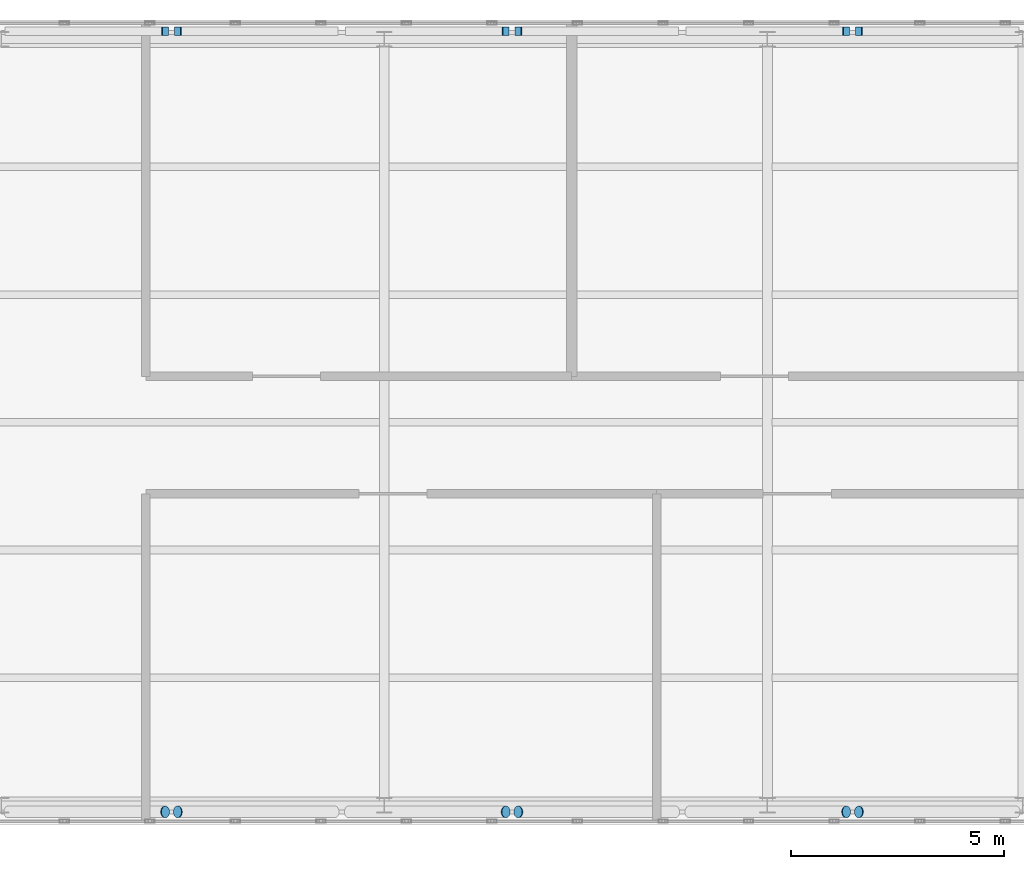
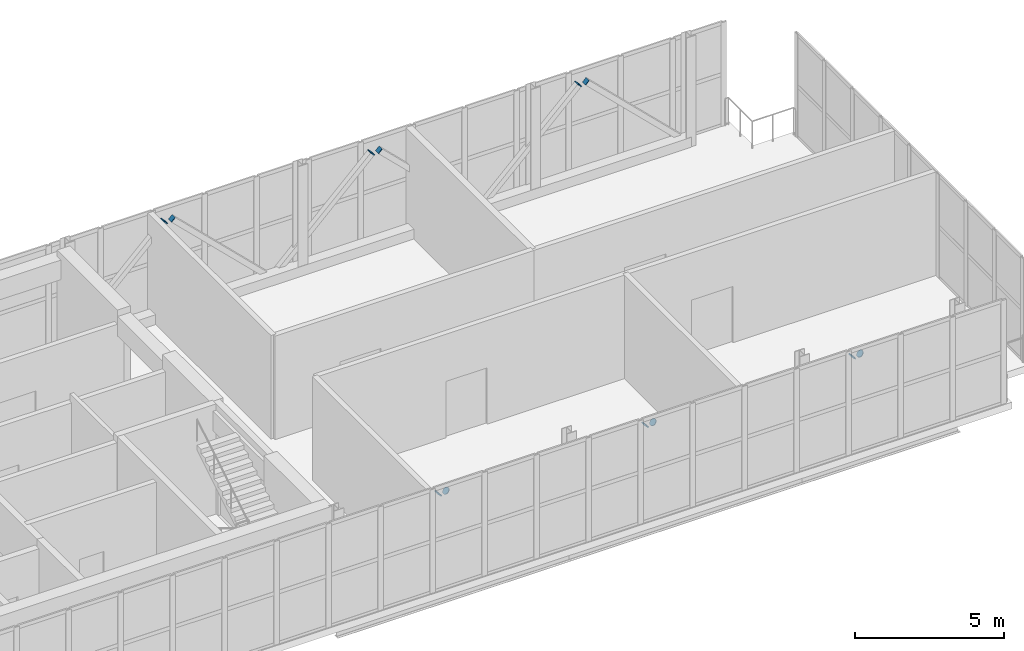
# One storey, part 20 of 21: 12 discrete accessories.
"""IFC4 building model written with IfcOpenShell, lengths in metres."""

from ifc_helpers import new_model, si_unit, direction, frame, origin, origin_2d, place, context, subcontext, project, spatial, rectangle, circle, extrude, material, material_profile, profile_set, type_object, element, save


model = new_model("IFC4")

# Units and contexts
model_context = context("Model", 3, precision=1e-05, world=origin(), true_north=direction((0.0, 1.0)))
body_context = subcontext(model_context, "Body", "Model", "MODEL_VIEW")
ifc_project = project(units=[si_unit("LENGTHUNIT", "METRE"), si_unit("AREAUNIT", "SQUARE_METRE"), si_unit("VOLUMEUNIT", "CUBIC_METRE"), si_unit("PLANEANGLEUNIT", "RADIAN"), si_unit("MASSUNIT", "GRAM", prefix="KILO")], contexts=[model_context])

# Site, building, storey
site_placement = place(None, origin())
site = spatial("IfcSite", under=ifc_project, at=site_placement, CompositionType="ELEMENT")
building_placement = place(site_placement, origin())
building = spatial("IfcBuilding", under=site, at=building_placement, Name="Mawjdan Bourse Tower", CompositionType="ELEMENT")
storey_placement = place(building_placement, frame((0.0, 0.0, 317.699951171875)))
storey = spatial("IfcBuildingStorey", under=building, at=storey_placement, Name="L78", CompositionType="ELEMENT", Elevation=317.699951171875)

# Discrete accessories
ifc_material = material(Name="Structural Steel S355", Category="steel")
ifc_material_profile_1 = material_profile(ifc_material, circle(Radius=0.136474609375, at=origin_2d()), Name="EPL-CHS273X12.5")
ifc_profile_set_1 = profile_set([ifc_material_profile_1], Name="Structural Steel S355")
discrete_accessory_type_1 = type_object("IfcDiscreteAccessoryType", Name="EPL-CHS273X12.5", PredefinedType="NOTDEFINED", material=ifc_profile_set_1)
for number, where, z_axis, x_axis, name in (
    (1, (27.840087890625, 2.846435546875, 3.7900390625), (0.711966448453, 0.0, 0.702213483406), (0.0, 1.0, 0.0), "L78 Lantern Crown Braced Frame South Apex End Plate 1"),
    (2, (28.159912109375, 2.846435546875, 3.7900390625), (-0.711966448453, 0.0, 0.702213483406), (0.0, -1.0, 0.0), "L78 Lantern Crown Braced Frame South Apex End Plate 2"),
    (3, (35.840087890625, 2.846435546875, 3.7900390625), (0.711966448453, 0.0, 0.702213483406), (0.0, 1.0, 0.0), "L78 Lantern Crown Braced Frame South Apex End Plate 3"),
    (4, (36.159912109375, 2.846435546875, 3.7900390625), (-0.711966448453, 0.0, 0.702213483406), (0.0, -1.0, 0.0), "L78 Lantern Crown Braced Frame South Apex End Plate 4"),
    (5, (43.840087890625, 2.846435546875, 3.7900390625), (0.711966448453, 0.0, 0.702213483406), (0.0, 1.0, 0.0), "L78 Lantern Crown Braced Frame South Apex End Plate 5"),
    (6, (44.159912109375, 2.846435546875, 3.7900390625), (-0.711966448453, 0.0, 0.702213483406), (0.0, -1.0, 0.0), "L78 Lantern Crown Braced Frame South Apex End Plate 6"),
):
    element("IfcDiscreteAccessory", number, at=place(storey_placement, frame(where, z_axis=z_axis, x_axis=x_axis)), inside=storey, type_object=discrete_accessory_type_1, Name=name, PredefinedType="NOTDEFINED", context=body_context, shape_type="SweptSolid", body=[
        extrude(circle(Radius=0.136474609375, at=origin_2d()), origin(), (0.0, 0.0, 1.0), 0.025146484375),
    ])
ifc_material_profile_2 = material_profile(ifc_material, rectangle(XDim=0.199951171875, YDim=0.199951171875, at=origin_2d()), Name="EPL-HSS200X200X10")
ifc_profile_set_2 = profile_set([ifc_material_profile_2], Name="Structural Steel S355")
discrete_accessory_type_2 = type_object("IfcDiscreteAccessoryType", Name="EPL-HSS200X200X10", PredefinedType="NOTDEFINED", material=ifc_profile_set_2)
for number, where, z_axis, x_axis, name in (
    (7, (27.840087890625, 21.18994140625, 3.7900390625), (0.711966448453, 0.0, 0.702213483406), (0.0, 1.0, 0.0), "L78 Lantern Crown Braced Frame North Apex End Plate 1"),
    (8, (28.159912109375, 21.18994140625, 3.7900390625), (-0.711966448453, 0.0, 0.702213483406), (0.0, -1.0, 0.0), "L78 Lantern Crown Braced Frame North Apex End Plate 2"),
    (9, (35.840087890625, 21.18994140625, 3.7900390625), (0.711966448453, 0.0, 0.702213483406), (0.0, 1.0, 0.0), "L78 Lantern Crown Braced Frame North Apex End Plate 3"),
    (10, (36.159912109375, 21.18994140625, 3.7900390625), (-0.711966448453, 0.0, 0.702213483406), (0.0, -1.0, 0.0), "L78 Lantern Crown Braced Frame North Apex End Plate 4"),
    (11, (43.840087890625, 21.18994140625, 3.7900390625), (0.711966448453, 0.0, 0.702213483406), (0.0, 1.0, 0.0), "L78 Lantern Crown Braced Frame North Apex End Plate 5"),
    (12, (44.159912109375, 21.18994140625, 3.7900390625), (-0.711966448453, 0.0, 0.702213483406), (0.0, -1.0, 0.0), "L78 Lantern Crown Braced Frame North Apex End Plate 6"),
):
    element("IfcDiscreteAccessory", number, at=place(storey_placement, frame(where, z_axis=z_axis, x_axis=x_axis)), inside=storey, type_object=discrete_accessory_type_2, Name=name, PredefinedType="NOTDEFINED", context=body_context, shape_type="SweptSolid", body=[
        extrude(rectangle(XDim=0.199951171875, YDim=0.199951171875, at=origin_2d()), origin(), (0.0, 0.0, 1.0), 0.025146484375),
    ])

save(model, "model.ifc")
